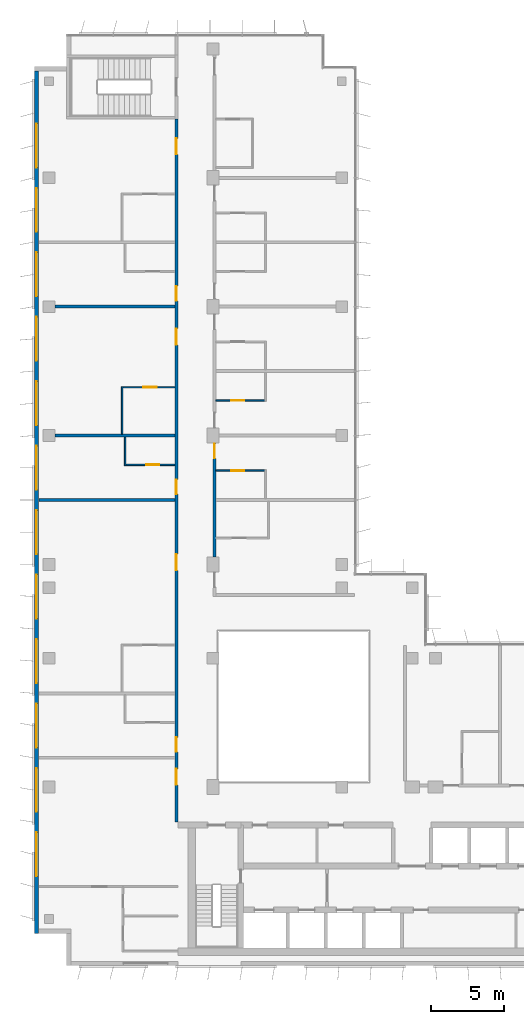
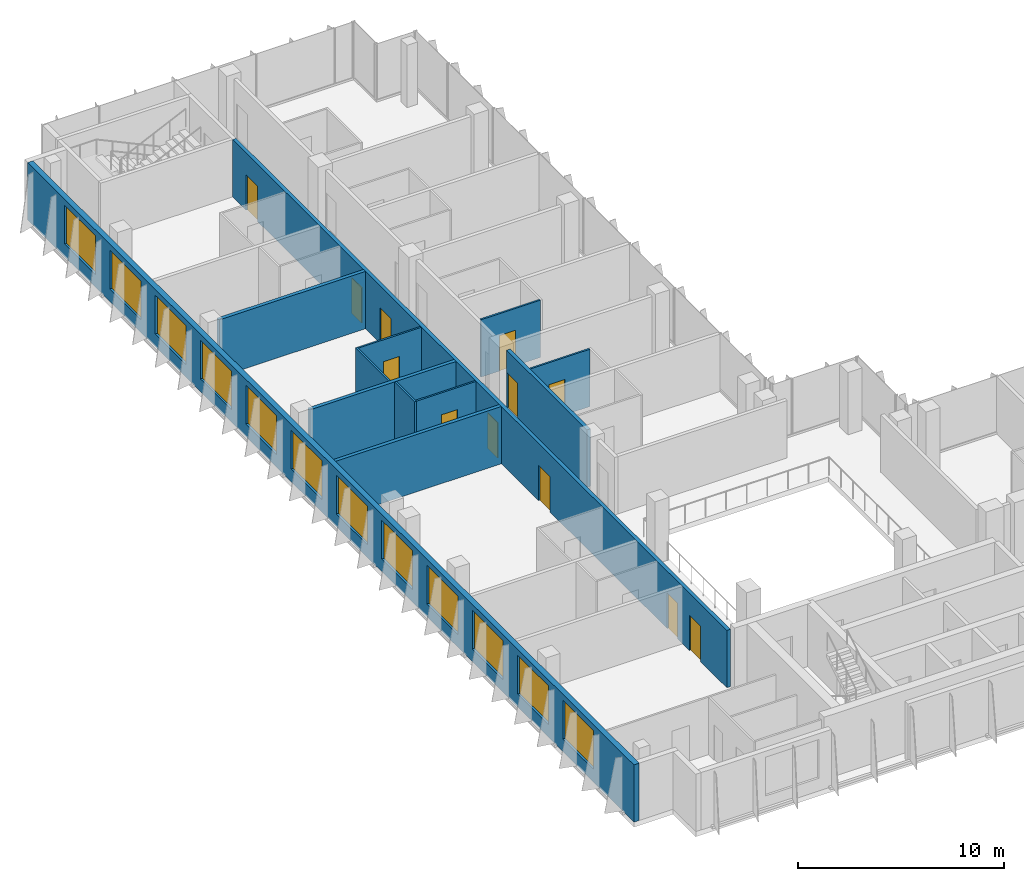
# One storey, part 12 of 17: 12 doors, 12 walls, 12 windows, 24 openings.
"""IFC4 building model written with IfcOpenShell, lengths in metres."""

import ifcopenshell
import ifcopenshell.guid

model = None  # the IFC model being written
_history = None  # IfcOwnerHistory: only IFC2X3 demands one
_inside = {}  # id of a spatial element -> (the spatial element, [elements in it])
_under = {}  # id of a project, library or spatial element -> (it, [spatial elements below it])
_declared = {}  # id of a project -> (the project, [libraries it declares])
_typed = {}  # id of a type object -> (the type object, [elements of that type])
_made_of = {}  # id of a material, layer set ... -> (it, [elements and type objects made of it])


def new_model(schema):
    """Start an empty IFC model of exactly this schema.

    Asked for "IFC4X3", IfcOpenShell would pick the latest addendum, in which some entities
    have other attributes; the version numbers below select the first issue.
    IFC2X3 requires an IfcOwnerHistory on every rooted entity: one is made here for all.
    """
    global model, _history
    if schema == "IFC4X3":
        model = ifcopenshell.file(schema_version=(4, 3, 0, 0))
    else:
        model = ifcopenshell.file(schema=schema)
    _inside.clear()
    _under.clear()
    _declared.clear()
    _typed.clear()
    _made_of.clear()
    _history = None
    if model.schema == "IFC2X3":
        org = make("IfcOrganization", Name="unknown")
        user = make(
            "IfcPersonAndOrganization",
            ThePerson=make("IfcPerson", FamilyName="unknown"),
            TheOrganization=org,
        )
        app = make(
            "IfcApplication",
            ApplicationDeveloper=org,
            Version="unknown",
            ApplicationFullName="unknown",
            ApplicationIdentifier="unknown",
        )
        _history = make(
            "IfcOwnerHistory",
            OwningUser=user,
            OwningApplication=app,
            ChangeAction="ADDED",
            CreationDate=0,
        )
    return model


def make(cls, **values):
    """One entity of the class cls with the attributes given. An attribute that is None is left unset."""
    return model.create_entity(
        cls, **{name: value for name, value in values.items() if value is not None}
    )


def rooted(cls, **values):
    """An entity with a GlobalId (a new one), such as an element, a storey or a relation."""
    return make(cls, GlobalId=ifcopenshell.guid.new(), OwnerHistory=_history, **values)


def si_unit(unit_type, name, prefix=None):
    """IfcSIUnit, for example si_unit("LENGTHUNIT", "METRE", prefix="MILLI")."""
    return make("IfcSIUnit", UnitType=unit_type, Prefix=prefix, Name=name)


def assignment(units):
    """IfcUnitAssignment: the units of a project."""
    return None if units is None else make("IfcUnitAssignment", Units=units)


def point(xyz):
    """IfcCartesianPoint."""
    return None if xyz is None else make("IfcCartesianPoint", Coordinates=xyz)


def direction(xyz):
    """IfcDirection."""
    return None if xyz is None else make("IfcDirection", DirectionRatios=xyz)


def frame(location, z_axis=None, x_axis=None):
    """IfcAxis2Placement3D, a coordinate frame: its origin and axes. An axis left out is left unset."""
    return make(
        "IfcAxis2Placement3D",
        Location=point(location),
        Axis=direction(z_axis),
        RefDirection=direction(x_axis),
    )


def frame_2d(location, x_axis=None):
    """IfcAxis2Placement2D, a coordinate frame in the plane: its origin and x axis."""
    return make(
        "IfcAxis2Placement2D", Location=point(location), RefDirection=direction(x_axis)
    )


def origin():
    """The frame at (0, 0, 0) with its axes left unset."""
    return frame((0.0, 0.0, 0.0))


def place(relative_to, where):
    """IfcLocalPlacement: puts the frame where relative to a parent placement (None: the world)."""
    return make(
        "IfcLocalPlacement", PlacementRelTo=relative_to, RelativePlacement=where
    )


def context(
    kind, dimensions, precision=None, world=None, true_north=None, identifier=None
):
    """IfcGeometricRepresentationContext, for example the 3D "Model" context."""
    return make(
        "IfcGeometricRepresentationContext",
        ContextIdentifier=identifier,
        ContextType=kind,
        CoordinateSpaceDimension=dimensions,
        Precision=precision,
        WorldCoordinateSystem=world,
        TrueNorth=true_north,
    )


def subcontext(parent, identifier, kind, view, scale=None):
    """IfcGeometricRepresentationSubContext, for example "Body" below "Model"."""
    return make(
        "IfcGeometricRepresentationSubContext",
        ContextIdentifier=identifier,
        ContextType=kind,
        ParentContext=parent,
        TargetScale=scale,
        TargetView=view,
    )


def project(units=None, contexts=None):
    """IfcProject with its units and contexts."""
    return rooted(
        "IfcProject",
        Name="project",
        RepresentationContexts=contexts,
        UnitsInContext=assignment(units),
    )


def spatial(cls, under=None, at=None, **own):
    """A site, building, storey or space (cls), placed at a placement, below another one or the project."""
    s = rooted(cls, ObjectPlacement=at, **own)
    if under is not None:
        _under.setdefault(under.id(), (under, []))[1].append(s)
    return s


def profile(cls, at=None, kind="AREA", **sizes):
    """A parametric profile (cls). Its sizes go by their IFC names, for example OverallWidth=200.0."""
    return make(cls, ProfileType=kind, Position=at, **sizes)


def rectangle(**sizes):
    """IfcRectangleProfileDef."""
    return profile("IfcRectangleProfileDef", **sizes)


def extrude(swept, where, along, depth):
    """IfcExtrudedAreaSolid: the profile swept, set in the frame where, extruded along a direction by depth."""
    return make(
        "IfcExtrudedAreaSolid",
        SweptArea=swept,
        Position=where,
        ExtrudedDirection=direction(along),
        Depth=depth,
    )


def shape(context_of_items, identifier, shape_type, items):
    """IfcShapeRepresentation: the items that make up one representation, for example the "Body"."""
    return make(
        "IfcShapeRepresentation",
        ContextOfItems=context_of_items,
        RepresentationIdentifier=identifier,
        RepresentationType=shape_type,
        Items=items,
    )


def material(Name=None, Category=None):
    """IfcMaterial."""
    return make("IfcMaterial", Name=Name, Category=Category)


def layer(
    of_material, thickness, ventilated=None, Name=None, Category=None, Priority=None
):
    """IfcMaterialLayer: one layer of a wall or slab, of a material (None: an air gap)."""
    return make(
        "IfcMaterialLayer",
        Material=of_material,
        LayerThickness=thickness,
        IsVentilated=ventilated,
        Name=Name,
        Category=Category,
        Priority=Priority,
    )


def layer_set(layers, Name=None):
    """IfcMaterialLayerSet."""
    return make("IfcMaterialLayerSet", MaterialLayers=layers, LayerSetName=Name)


def made_of(thing, what):
    """Note that an element or type object is made of a material, layer set ...; save() writes the relation."""
    if what is not None:
        _made_of.setdefault(what.id(), (what, []))[1].append(thing)
    return thing


def type_object(cls, material=None, **own):
    """A type object (cls), such as IfcWallType, which elements share."""
    return made_of(rooted(cls, **own), material)


def element(
    cls,
    number,
    at=None,
    inside=None,
    cuts=None,
    type_object=None,
    material=None,
    context=None,
    identifier="Body",
    shape_type=None,
    held_by="IfcProductDefinitionShape",
    body=None,
    shapes=None,
    **own,
):
    """One element of the class cls, such as IfcWall. Its Tag is "e" and its number.

    at: its placement. inside: the storey or other place that contains it. cuts: it is an
    opening in that element (IfcRelVoidsElement). A single representation is given by context,
    identifier, shape_type and body (its items); several are given by shapes. held_by: the class
    of the entity that holds the representations. save() writes the other relations.
    """
    e = rooted(cls, Tag="e%d" % number, ObjectPlacement=at, **own)
    if body is not None:
        shapes = [shape(context, identifier, shape_type, body)]
    if shapes is not None:
        e.Representation = make(held_by, Representations=shapes)
    if inside is not None:
        _inside.setdefault(inside.id(), (inside, []))[1].append(e)
    if cuts is not None:
        rooted(
            "IfcRelVoidsElement", RelatingBuildingElement=cuts, RelatedOpeningElement=e
        )
    if type_object is not None:
        _typed.setdefault(type_object.id(), (type_object, []))[1].append(e)
    return made_of(e, material)


def fill(opening, filler):
    """IfcRelFillsElement: the door or window that sits in an opening."""
    return rooted(
        "IfcRelFillsElement",
        RelatingOpeningElement=opening,
        RelatedBuildingElement=filler,
    )


def aggregate(whole, parts):
    """IfcRelAggregates: a whole, such as a stair, and the parts it consists of."""
    return rooted("IfcRelAggregates", RelatingObject=whole, RelatedObjects=parts)


def save(model, path):
    """Write the relations noted so far, then the file.

    IfcRelAggregates (storeys below a building ...), IfcRelContainedInSpatialStructure (elements
    in a storey), IfcRelDefinesByType, IfcRelAssociatesMaterial and IfcRelDeclares: one each for
    every whole, place, type object, material and project.
    """
    for whole, parts in _under.values():
        aggregate(whole, parts)
    for where, things in _inside.values():
        rooted(
            "IfcRelContainedInSpatialStructure",
            RelatedElements=things,
            RelatingStructure=where,
        )
    for kind, things in _typed.values():
        rooted("IfcRelDefinesByType", RelatedObjects=things, RelatingType=kind)
    for what, things in _made_of.values():
        rooted("IfcRelAssociatesMaterial", RelatedObjects=things, RelatingMaterial=what)
    for by, libraries in _declared.values():
        rooted("IfcRelDeclares", RelatingContext=by, RelatedDefinitions=libraries)
    model.write(path)


model = new_model("IFC4")

# Units and contexts
model_context = context("Model", 3, precision=1e-05, world=origin(), true_north=direction((0.0, 1.0)))
body_context = subcontext(model_context, "Body", "Model", "MODEL_VIEW")
ifc_project = project(units=[si_unit("LENGTHUNIT", "METRE"), si_unit("AREAUNIT", "SQUARE_METRE"), si_unit("VOLUMEUNIT", "CUBIC_METRE"), si_unit("PLANEANGLEUNIT", "RADIAN"), si_unit("MASSUNIT", "GRAM", prefix="KILO")], contexts=[model_context])

# Site, building, storey
site_placement = place(None, origin())
site = spatial("IfcSite", under=ifc_project, at=site_placement, CompositionType="ELEMENT")
building_placement = place(site_placement, origin())
building = spatial("IfcBuilding", under=site, at=building_placement, Name="Kemantara Hotel Tower", CompositionType="ELEMENT")
storey_placement = place(building_placement, frame((0.0, 0.0, 226.5)))
storey = spatial("IfcBuildingStorey", under=building, at=storey_placement, Name="L56", CompositionType="ELEMENT", Elevation=226.5)

# Wall, openings, windows
ifc_material_1 = material(Name="Bronze anodised aluminium cladding on insulated steel stud wall", Category="steel")
ifc_layer_1 = layer(ifc_material_1, 0.300048828125)
ifc_layer_set_1 = layer_set([ifc_layer_1], Name="Bronze anodised aluminium cladding on insulated steel stud wall")
wall_type_1 = type_object("IfcWallType", Name="BRONZE METAL-CLAD EXTERNAL WALL 300", PredefinedType="STANDARD", material=ifc_layer_set_1)
wall_1_placement = place(storey_placement, frame((0.14990234375, 61.10009765625, 0.0), z_axis=(0.0, 0.0, 1.0), x_axis=(0.0, -1.0, 0.0)))
wall_1 = element("IfcWall", 1, at=wall_1_placement, inside=storey, type_object=wall_type_1, Name="EXTERNAL WALL L56 T4-R05", PredefinedType="STANDARD", context=body_context, shape_type="SweptSolid", body=[
    extrude(rectangle(XDim=58.900146484375, YDim=0.300048828125, at=frame_2d((29.4501953125, 0.0))), origin(), (0.0, 0.0, 1.0), 3.39990234375),
])
opening_1_placement = place(wall_1_placement, frame((3.60009765625, 0.0, 0.75)))
opening_1 = element("IfcOpeningElement", 2, at=opening_1_placement, cuts=wall_1, Name="Opening W1", PredefinedType="OPENING", context=body_context, shape_type="SweptSolid", body=[
    extrude(rectangle(XDim=3.0, YDim=2.300048828125, at=frame_2d((1.5, 1.14990234375))), frame((0.0, 0.159912109375, 0.0), z_axis=(0.0, -1.0, 0.0), x_axis=(1.0, 0.0, 0.0)), (0.0, 0.0, 1.0), 0.320068359375),
])
opening_2_placement = place(wall_1_placement, frame((8.0, 0.0, 0.75)))
opening_2 = element("IfcOpeningElement", 3, at=opening_2_placement, cuts=wall_1, Name="Opening W1", PredefinedType="OPENING", context=body_context, shape_type="SweptSolid", body=[
    extrude(rectangle(XDim=3.0, YDim=2.300048828125, at=frame_2d((1.5, 1.14990234375))), frame((0.0, 0.159912109375, 0.0), z_axis=(0.0, -1.0, 0.0), x_axis=(1.0, 0.0, 0.0)), (0.0, 0.0, 1.0), 0.320068359375),
])
opening_3_placement = place(wall_1_placement, frame((12.39990234375, 0.0, 0.75)))
opening_3 = element("IfcOpeningElement", 4, at=opening_3_placement, cuts=wall_1, Name="Opening W1", PredefinedType="OPENING", context=body_context, shape_type="SweptSolid", body=[
    extrude(rectangle(XDim=3.0, YDim=2.300048828125, at=frame_2d((1.5, 1.14990234375))), frame((0.0, 0.159912109375, 0.0), z_axis=(0.0, -1.0, 0.0), x_axis=(1.0, 0.0, 0.0)), (0.0, 0.0, 1.0), 0.320068359375),
])
opening_4_placement = place(wall_1_placement, frame((16.800048828125, 0.0, 0.75)))
opening_4 = element("IfcOpeningElement", 5, at=opening_4_placement, cuts=wall_1, Name="Opening W1", PredefinedType="OPENING", context=body_context, shape_type="SweptSolid", body=[
    extrude(rectangle(XDim=3.0, YDim=2.300048828125, at=frame_2d((1.5, 1.14990234375))), frame((0.0, 0.159912109375, 0.0), z_axis=(0.0, -1.0, 0.0), x_axis=(1.0, 0.0, 0.0)), (0.0, 0.0, 1.0), 0.320068359375),
])
opening_5_placement = place(wall_1_placement, frame((21.199951171875, 0.0, 0.75)))
opening_5 = element("IfcOpeningElement", 6, at=opening_5_placement, cuts=wall_1, Name="Opening W1", PredefinedType="OPENING", context=body_context, shape_type="SweptSolid", body=[
    extrude(rectangle(XDim=3.0, YDim=2.300048828125, at=frame_2d((1.5, 1.14990234375))), frame((0.0, 0.159912109375, 0.0), z_axis=(0.0, -1.0, 0.0), x_axis=(1.0, 0.0, 0.0)), (0.0, 0.0, 1.0), 0.320068359375),
])
opening_6_placement = place(wall_1_placement, frame((25.60009765625, 0.0, 0.75)))
opening_6 = element("IfcOpeningElement", 7, at=opening_6_placement, cuts=wall_1, Name="Opening W1", PredefinedType="OPENING", context=body_context, shape_type="SweptSolid", body=[
    extrude(rectangle(XDim=3.0, YDim=2.300048828125, at=frame_2d((1.5, 1.14990234375))), frame((0.0, 0.159912109375, 0.0), z_axis=(0.0, -1.0, 0.0), x_axis=(1.0, 0.0, 0.0)), (0.0, 0.0, 1.0), 0.320068359375),
])
opening_7_placement = place(wall_1_placement, frame((30.0, 0.0, 0.75)))
opening_7 = element("IfcOpeningElement", 8, at=opening_7_placement, cuts=wall_1, Name="Opening W1", PredefinedType="OPENING", context=body_context, shape_type="SweptSolid", body=[
    extrude(rectangle(XDim=3.0, YDim=2.300048828125, at=frame_2d((1.5, 1.14990234375))), frame((0.0, 0.159912109375, 0.0), z_axis=(0.0, -1.0, 0.0), x_axis=(1.0, 0.0, 0.0)), (0.0, 0.0, 1.0), 0.320068359375),
])
opening_8_placement = place(wall_1_placement, frame((34.39990234375, 0.0, 0.75)))
opening_8 = element("IfcOpeningElement", 9, at=opening_8_placement, cuts=wall_1, Name="Opening W1", PredefinedType="OPENING", context=body_context, shape_type="SweptSolid", body=[
    extrude(rectangle(XDim=3.0, YDim=2.300048828125, at=frame_2d((1.5, 1.14990234375))), frame((0.0, 0.159912109375, 0.0), z_axis=(0.0, -1.0, 0.0), x_axis=(1.0, 0.0, 0.0)), (0.0, 0.0, 1.0), 0.320068359375),
])
opening_9_placement = place(wall_1_placement, frame((38.800048828125, 0.0, 0.75)))
opening_9 = element("IfcOpeningElement", 10, at=opening_9_placement, cuts=wall_1, Name="Opening W1", PredefinedType="OPENING", context=body_context, shape_type="SweptSolid", body=[
    extrude(rectangle(XDim=3.0, YDim=2.300048828125, at=frame_2d((1.5, 1.14990234375))), frame((0.0, 0.159912109375, 0.0), z_axis=(0.0, -1.0, 0.0), x_axis=(1.0, 0.0, 0.0)), (0.0, 0.0, 1.0), 0.320068359375),
])
opening_10_placement = place(wall_1_placement, frame((43.199951171875, 0.0, 0.75)))
opening_10 = element("IfcOpeningElement", 11, at=opening_10_placement, cuts=wall_1, Name="Opening W1", PredefinedType="OPENING", context=body_context, shape_type="SweptSolid", body=[
    extrude(rectangle(XDim=3.0, YDim=2.300048828125, at=frame_2d((1.5, 1.14990234375))), frame((0.0, 0.159912109375, 0.0), z_axis=(0.0, -1.0, 0.0), x_axis=(1.0, 0.0, 0.0)), (0.0, 0.0, 1.0), 0.320068359375),
])
opening_11_placement = place(wall_1_placement, frame((47.60009765625, 0.0, 0.75)))
opening_11 = element("IfcOpeningElement", 12, at=opening_11_placement, cuts=wall_1, Name="Opening W1", PredefinedType="OPENING", context=body_context, shape_type="SweptSolid", body=[
    extrude(rectangle(XDim=3.0, YDim=2.300048828125, at=frame_2d((1.5, 1.14990234375))), frame((0.0, 0.159912109375, 0.0), z_axis=(0.0, -1.0, 0.0), x_axis=(1.0, 0.0, 0.0)), (0.0, 0.0, 1.0), 0.320068359375),
])
opening_12_placement = place(wall_1_placement, frame((52.0, 0.0, 0.75)))
opening_12 = element("IfcOpeningElement", 13, at=opening_12_placement, cuts=wall_1, Name="Opening W1", PredefinedType="OPENING", context=body_context, shape_type="SweptSolid", body=[
    extrude(rectangle(XDim=3.0, YDim=2.300048828125, at=frame_2d((1.5, 1.14990234375))), frame((0.0, 0.159912109375, 0.0), z_axis=(0.0, -1.0, 0.0), x_axis=(1.0, 0.0, 0.0)), (0.0, 0.0, 1.0), 0.320068359375),
])
ifc_material_2 = material(Name="Low-E tinted double insulated glass in bronze anodised aluminium frame", Category="aluminium")
window_type = type_object("IfcWindowType", Name="CHICAGO WINDOW, TRIPLE PANEL 3000x2300", PartitioningType="TRIPLE_PANEL_VERTICAL", PredefinedType="WINDOW", material=ifc_material_2)
window_1_placement = place(opening_1_placement, origin())
window_1 = element("IfcWindow", 14, at=window_1_placement, inside=storey, type_object=window_type, Name="CHICAGO WINDOW L56 T4-R05-54", OverallHeight=2.300048828125, OverallWidth=3.0, PartitioningType="SINGLE_PANEL", PredefinedType="WINDOW", context=body_context, shape_type="SweptSolid", body=[
    extrude(rectangle(XDim=3.0, YDim=2.300048828125, at=frame_2d((1.5, 1.14990234375))), frame((0.0, 0.030029296875, 0.0), z_axis=(0.0, -1.0, 0.0), x_axis=(1.0, 0.0, 0.0)), (0.0, 0.0, 1.0), 0.06005859375),
])
fill(opening_1, window_1)
window_2_placement = place(opening_2_placement, origin())
window_2 = element("IfcWindow", 15, at=window_2_placement, inside=storey, type_object=window_type, Name="CHICAGO WINDOW L56 T4-R05-98", OverallHeight=2.300048828125, OverallWidth=3.0, PartitioningType="SINGLE_PANEL", PredefinedType="WINDOW", context=body_context, shape_type="SweptSolid", body=[
    extrude(rectangle(XDim=3.0, YDim=2.300048828125, at=frame_2d((1.5, 1.14990234375))), frame((0.0, 0.030029296875, 0.0), z_axis=(0.0, -1.0, 0.0), x_axis=(1.0, 0.0, 0.0)), (0.0, 0.0, 1.0), 0.06005859375),
])
fill(opening_2, window_2)
window_3_placement = place(opening_3_placement, origin())
window_3 = element("IfcWindow", 16, at=window_3_placement, inside=storey, type_object=window_type, Name="CHICAGO WINDOW L56 T4-R05-142", OverallHeight=2.300048828125, OverallWidth=3.0, PartitioningType="SINGLE_PANEL", PredefinedType="WINDOW", context=body_context, shape_type="SweptSolid", body=[
    extrude(rectangle(XDim=3.0, YDim=2.300048828125, at=frame_2d((1.5, 1.14990234375))), frame((0.0, 0.030029296875, 0.0), z_axis=(0.0, -1.0, 0.0), x_axis=(1.0, 0.0, 0.0)), (0.0, 0.0, 1.0), 0.06005859375),
])
fill(opening_3, window_3)
window_4_placement = place(opening_4_placement, origin())
window_4 = element("IfcWindow", 17, at=window_4_placement, inside=storey, type_object=window_type, Name="CHICAGO WINDOW L56 T4-R05-186", OverallHeight=2.300048828125, OverallWidth=3.0, PartitioningType="SINGLE_PANEL", PredefinedType="WINDOW", context=body_context, shape_type="SweptSolid", body=[
    extrude(rectangle(XDim=3.0, YDim=2.300048828125, at=frame_2d((1.5, 1.14990234375))), frame((0.0, 0.030029296875, 0.0), z_axis=(0.0, -1.0, 0.0), x_axis=(1.0, 0.0, 0.0)), (0.0, 0.0, 1.0), 0.06005859375),
])
fill(opening_4, window_4)
window_5_placement = place(opening_5_placement, origin())
window_5 = element("IfcWindow", 18, at=window_5_placement, inside=storey, type_object=window_type, Name="CHICAGO WINDOW L56 T4-R05-230", OverallHeight=2.300048828125, OverallWidth=3.0, PartitioningType="SINGLE_PANEL", PredefinedType="WINDOW", context=body_context, shape_type="SweptSolid", body=[
    extrude(rectangle(XDim=3.0, YDim=2.300048828125, at=frame_2d((1.5, 1.14990234375))), frame((0.0, 0.030029296875, 0.0), z_axis=(0.0, -1.0, 0.0), x_axis=(1.0, 0.0, 0.0)), (0.0, 0.0, 1.0), 0.06005859375),
])
fill(opening_5, window_5)
window_6_placement = place(opening_6_placement, origin())
window_6 = element("IfcWindow", 19, at=window_6_placement, inside=storey, type_object=window_type, Name="CHICAGO WINDOW L56 T4-R05-274", OverallHeight=2.300048828125, OverallWidth=3.0, PartitioningType="SINGLE_PANEL", PredefinedType="WINDOW", context=body_context, shape_type="SweptSolid", body=[
    extrude(rectangle(XDim=3.0, YDim=2.300048828125, at=frame_2d((1.5, 1.14990234375))), frame((0.0, 0.030029296875, 0.0), z_axis=(0.0, -1.0, 0.0), x_axis=(1.0, 0.0, 0.0)), (0.0, 0.0, 1.0), 0.06005859375),
])
fill(opening_6, window_6)
window_7_placement = place(opening_7_placement, origin())
window_7 = element("IfcWindow", 20, at=window_7_placement, inside=storey, type_object=window_type, Name="CHICAGO WINDOW L56 T4-R05-318", OverallHeight=2.300048828125, OverallWidth=3.0, PartitioningType="SINGLE_PANEL", PredefinedType="WINDOW", context=body_context, shape_type="SweptSolid", body=[
    extrude(rectangle(XDim=3.0, YDim=2.300048828125, at=frame_2d((1.5, 1.14990234375))), frame((0.0, 0.030029296875, 0.0), z_axis=(0.0, -1.0, 0.0), x_axis=(1.0, 0.0, 0.0)), (0.0, 0.0, 1.0), 0.06005859375),
])
fill(opening_7, window_7)
window_8_placement = place(opening_8_placement, origin())
window_8 = element("IfcWindow", 21, at=window_8_placement, inside=storey, type_object=window_type, Name="CHICAGO WINDOW L56 T4-R05-362", OverallHeight=2.300048828125, OverallWidth=3.0, PartitioningType="SINGLE_PANEL", PredefinedType="WINDOW", context=body_context, shape_type="SweptSolid", body=[
    extrude(rectangle(XDim=3.0, YDim=2.300048828125, at=frame_2d((1.5, 1.14990234375))), frame((0.0, 0.030029296875, 0.0), z_axis=(0.0, -1.0, 0.0), x_axis=(1.0, 0.0, 0.0)), (0.0, 0.0, 1.0), 0.06005859375),
])
fill(opening_8, window_8)
window_9_placement = place(opening_9_placement, origin())
window_9 = element("IfcWindow", 22, at=window_9_placement, inside=storey, type_object=window_type, Name="CHICAGO WINDOW L56 T4-R05-406", OverallHeight=2.300048828125, OverallWidth=3.0, PartitioningType="SINGLE_PANEL", PredefinedType="WINDOW", context=body_context, shape_type="SweptSolid", body=[
    extrude(rectangle(XDim=3.0, YDim=2.300048828125, at=frame_2d((1.5, 1.14990234375))), frame((0.0, 0.030029296875, 0.0), z_axis=(0.0, -1.0, 0.0), x_axis=(1.0, 0.0, 0.0)), (0.0, 0.0, 1.0), 0.06005859375),
])
fill(opening_9, window_9)
window_10_placement = place(opening_10_placement, origin())
window_10 = element("IfcWindow", 23, at=window_10_placement, inside=storey, type_object=window_type, Name="CHICAGO WINDOW L56 T4-R05-450", OverallHeight=2.300048828125, OverallWidth=3.0, PartitioningType="SINGLE_PANEL", PredefinedType="WINDOW", context=body_context, shape_type="SweptSolid", body=[
    extrude(rectangle(XDim=3.0, YDim=2.300048828125, at=frame_2d((1.5, 1.14990234375))), frame((0.0, 0.030029296875, 0.0), z_axis=(0.0, -1.0, 0.0), x_axis=(1.0, 0.0, 0.0)), (0.0, 0.0, 1.0), 0.06005859375),
])
fill(opening_10, window_10)
window_11_placement = place(opening_11_placement, origin())
window_11 = element("IfcWindow", 24, at=window_11_placement, inside=storey, type_object=window_type, Name="CHICAGO WINDOW L56 T4-R05-494", OverallHeight=2.300048828125, OverallWidth=3.0, PartitioningType="SINGLE_PANEL", PredefinedType="WINDOW", context=body_context, shape_type="SweptSolid", body=[
    extrude(rectangle(XDim=3.0, YDim=2.300048828125, at=frame_2d((1.5, 1.14990234375))), frame((0.0, 0.030029296875, 0.0), z_axis=(0.0, -1.0, 0.0), x_axis=(1.0, 0.0, 0.0)), (0.0, 0.0, 1.0), 0.06005859375),
])
fill(opening_11, window_11)
window_12_placement = place(opening_12_placement, origin())
window_12 = element("IfcWindow", 25, at=window_12_placement, inside=storey, type_object=window_type, Name="CHICAGO WINDOW L56 T4-R05-538", OverallHeight=2.300048828125, OverallWidth=3.0, PartitioningType="SINGLE_PANEL", PredefinedType="WINDOW", context=body_context, shape_type="SweptSolid", body=[
    extrude(rectangle(XDim=3.0, YDim=2.300048828125, at=frame_2d((1.5, 1.14990234375))), frame((0.0, 0.030029296875, 0.0), z_axis=(0.0, -1.0, 0.0), x_axis=(1.0, 0.0, 0.0)), (0.0, 0.0, 1.0), 0.06005859375),
])
fill(opening_12, window_12)

# Wall, openings, doors
ifc_material_3 = material(Name="Gypsum board partition, steel studs and mineral wool, 200 mm", Category="steel")
ifc_layer_2 = layer(ifc_material_3, 0.199951171875)
ifc_layer_set_2 = layer_set([ifc_layer_2], Name="Gypsum board partition, steel studs and mineral wool, 200 mm")
wall_type_2 = type_object("IfcWallType", Name="CORRIDOR WALL 200", PredefinedType="PARTITIONING", material=ifc_layer_set_2)
wall_2_placement = place(storey_placement, frame((9.699951171875, 9.800048828125, 0.0), z_axis=(0.0, 0.0, 1.0), x_axis=(0.0, 1.0, 0.0)))
wall_2 = element("IfcWall", 26, at=wall_2_placement, inside=storey, type_object=wall_type_2, Name="CORRIDOR WALL 200 008", PredefinedType="PARTITIONING", context=body_context, shape_type="SweptSolid", body=[
    extrude(rectangle(XDim=48.0, YDim=0.199951171875, at=frame_2d((24.0, 0.0))), origin(), (0.0, 0.0, 1.0), 3.39990234375),
])
opening_13_placement = place(wall_2_placement, frame((2.550048828125, 0.0, 0.0)))
opening_13 = element("IfcOpeningElement", 27, at=opening_13_placement, cuts=wall_2, Name="Opening F27-009", PredefinedType="OPENING", context=body_context, shape_type="SweptSolid", body=[
    extrude(rectangle(XDim=1.10009765625, YDim=2.10009765625, at=frame_2d((0.550048828125, 1.050048828125))), frame((0.0, 0.10986328125, 0.0), z_axis=(0.0, -1.0, 0.0), x_axis=(1.0, 0.0, 0.0)), (0.0, 0.0, 1.0), 0.219970703125),
])
opening_14_placement = place(wall_2_placement, frame((4.800048828125, 0.0, 0.0)))
opening_14 = element("IfcOpeningElement", 28, at=opening_14_placement, cuts=wall_2, Name="Opening F27-013", PredefinedType="OPENING", context=body_context, shape_type="SweptSolid", body=[
    extrude(rectangle(XDim=1.0, YDim=2.10009765625, at=frame_2d((0.5, 1.050048828125))), frame((0.0, 0.10986328125, 0.0), z_axis=(0.0, -1.0, 0.0), x_axis=(1.0, 0.0, 0.0)), (0.0, 0.0, 1.0), 0.219970703125),
])
opening_15_placement = place(wall_2_placement, frame((17.199951171875, 0.0, 0.0)))
opening_15 = element("IfcOpeningElement", 29, at=opening_15_placement, cuts=wall_2, Name="Opening F27-015", PredefinedType="OPENING", context=body_context, shape_type="SweptSolid", body=[
    extrude(rectangle(XDim=1.10009765625, YDim=2.10009765625, at=frame_2d((0.550048828125, 1.050048828125))), frame((0.0, 0.10986328125, 0.0), z_axis=(0.0, -1.0, 0.0), x_axis=(1.0, 0.0, 0.0)), (0.0, 0.0, 1.0), 0.219970703125),
])
opening_16_placement = place(wall_2_placement, frame((22.39990234375, 0.0, 0.0)))
opening_16 = element("IfcOpeningElement", 30, at=opening_16_placement, cuts=wall_2, Name="Opening F27-017", PredefinedType="OPENING", context=body_context, shape_type="SweptSolid", body=[
    extrude(rectangle(XDim=1.0, YDim=2.10009765625, at=frame_2d((0.5, 1.050048828125))), frame((0.0, 0.10986328125, 0.0), z_axis=(0.0, -1.0, 0.0), x_axis=(1.0, 0.0, 0.0)), (0.0, 0.0, 1.0), 0.219970703125),
])
opening_17_placement = place(wall_2_placement, frame((32.60009765625, 0.0, 0.0)))
opening_17 = element("IfcOpeningElement", 31, at=opening_17_placement, cuts=wall_2, Name="Opening F27-019", PredefinedType="OPENING", context=body_context, shape_type="SweptSolid", body=[
    extrude(rectangle(XDim=1.10009765625, YDim=2.10009765625, at=frame_2d((0.550048828125, 1.050048828125))), frame((0.0, 0.10986328125, 0.0), z_axis=(0.0, -1.0, 0.0), x_axis=(1.0, 0.0, 0.0)), (0.0, 0.0, 1.0), 0.219970703125),
])
opening_18_placement = place(wall_2_placement, frame((35.60009765625, 0.0, 0.0)))
opening_18 = element("IfcOpeningElement", 32, at=opening_18_placement, cuts=wall_2, Name="Opening F27-021", PredefinedType="OPENING", context=body_context, shape_type="SweptSolid", body=[
    extrude(rectangle(XDim=1.0, YDim=2.10009765625, at=frame_2d((0.5, 1.050048828125))), frame((0.0, 0.10986328125, 0.0), z_axis=(0.0, -1.0, 0.0), x_axis=(1.0, 0.0, 0.0)), (0.0, 0.0, 1.0), 0.219970703125),
])
opening_19_placement = place(wall_2_placement, frame((45.60009765625, 0.0, 0.0)))
opening_19 = element("IfcOpeningElement", 33, at=opening_19_placement, cuts=wall_2, Name="Opening F27-023", PredefinedType="OPENING", context=body_context, shape_type="SweptSolid", body=[
    extrude(rectangle(XDim=1.10009765625, YDim=2.10009765625, at=frame_2d((0.550048828125, 1.050048828125))), frame((0.0, 0.10986328125, 0.0), z_axis=(0.0, -1.0, 0.0), x_axis=(1.0, 0.0, 0.0)), (0.0, 0.0, 1.0), 0.219970703125),
])
ifc_material_4 = material(Name="Hardwood veneer door leaf with steel frame", Category="steel")
door_type_1 = type_object("IfcDoorType", Name="GUEST ROOM DOOR 1000 X 2100 FD30S", OperationType="NOTDEFINED", PredefinedType="DOOR", material=ifc_material_4)
door_1_placement = place(opening_14_placement, origin())
door_1 = element("IfcDoor", 34, at=door_1_placement, inside=storey, type_object=door_type_1, Name="GUEST ROOM DOOR F27-013", OperationType="SINGLE_SWING_LEFT", OverallHeight=2.10009765625, OverallWidth=1.0, PredefinedType="DOOR", context=body_context, shape_type="SweptSolid", body=[
    extrude(rectangle(XDim=1.0, YDim=2.10009765625, at=frame_2d((0.5, 1.050048828125))), frame((0.0, 0.02490234375, 0.0), z_axis=(0.0, -1.0, 0.0), x_axis=(1.0, 0.0, 0.0)), (0.0, 0.0, 1.0), 0.050048828125),
])
fill(opening_14, door_1)
door_2_placement = place(opening_16_placement, origin())
door_2 = element("IfcDoor", 35, at=door_2_placement, inside=storey, type_object=door_type_1, Name="GUEST ROOM DOOR F27-017", OperationType="SINGLE_SWING_LEFT", OverallHeight=2.10009765625, OverallWidth=1.0, PredefinedType="DOOR", context=body_context, shape_type="SweptSolid", body=[
    extrude(rectangle(XDim=1.0, YDim=2.10009765625, at=frame_2d((0.5, 1.050048828125))), frame((0.0, 0.02490234375, 0.0), z_axis=(0.0, -1.0, 0.0), x_axis=(1.0, 0.0, 0.0)), (0.0, 0.0, 1.0), 0.050048828125),
])
fill(opening_16, door_2)
door_3_placement = place(opening_18_placement, origin())
door_3 = element("IfcDoor", 36, at=door_3_placement, inside=storey, type_object=door_type_1, Name="GUEST ROOM DOOR F27-021", OperationType="SINGLE_SWING_LEFT", OverallHeight=2.10009765625, OverallWidth=1.0, PredefinedType="DOOR", context=body_context, shape_type="SweptSolid", body=[
    extrude(rectangle(XDim=1.0, YDim=2.10009765625, at=frame_2d((0.5, 1.050048828125))), frame((0.0, 0.02490234375, 0.0), z_axis=(0.0, -1.0, 0.0), x_axis=(1.0, 0.0, 0.0)), (0.0, 0.0, 1.0), 0.050048828125),
])
fill(opening_18, door_3)
door_type_2 = type_object("IfcDoorType", Name="SUITE ENTRANCE DOOR 1100 X 2100 FD30S", OperationType="NOTDEFINED", PredefinedType="DOOR", material=ifc_material_4)
door_4_placement = place(opening_13_placement, origin())
door_4 = element("IfcDoor", 37, at=door_4_placement, inside=storey, type_object=door_type_2, Name="SUITE ENTRANCE DOOR F27-009", OperationType="SINGLE_SWING_RIGHT", OverallHeight=2.10009765625, OverallWidth=1.10009765625, PredefinedType="DOOR", context=body_context, shape_type="SweptSolid", body=[
    extrude(rectangle(XDim=1.10009765625, YDim=2.10009765625, at=frame_2d((0.550048828125, 1.050048828125))), frame((0.0, 0.02490234375, 0.0), z_axis=(0.0, -1.0, 0.0), x_axis=(1.0, 0.0, 0.0)), (0.0, 0.0, 1.0), 0.050048828125),
])
fill(opening_13, door_4)
door_5_placement = place(opening_15_placement, origin())
door_5 = element("IfcDoor", 38, at=door_5_placement, inside=storey, type_object=door_type_2, Name="SUITE ENTRANCE DOOR F27-015", OperationType="SINGLE_SWING_RIGHT", OverallHeight=2.10009765625, OverallWidth=1.10009765625, PredefinedType="DOOR", context=body_context, shape_type="SweptSolid", body=[
    extrude(rectangle(XDim=1.10009765625, YDim=2.10009765625, at=frame_2d((0.550048828125, 1.050048828125))), frame((0.0, 0.02490234375, 0.0), z_axis=(0.0, -1.0, 0.0), x_axis=(1.0, 0.0, 0.0)), (0.0, 0.0, 1.0), 0.050048828125),
])
fill(opening_15, door_5)
door_6_placement = place(opening_17_placement, origin())
door_6 = element("IfcDoor", 39, at=door_6_placement, inside=storey, type_object=door_type_2, Name="SUITE ENTRANCE DOOR F27-019", OperationType="SINGLE_SWING_RIGHT", OverallHeight=2.10009765625, OverallWidth=1.10009765625, PredefinedType="DOOR", context=body_context, shape_type="SweptSolid", body=[
    extrude(rectangle(XDim=1.10009765625, YDim=2.10009765625, at=frame_2d((0.550048828125, 1.050048828125))), frame((0.0, 0.02490234375, 0.0), z_axis=(0.0, -1.0, 0.0), x_axis=(1.0, 0.0, 0.0)), (0.0, 0.0, 1.0), 0.050048828125),
])
fill(opening_17, door_6)
door_7_placement = place(opening_19_placement, origin())
door_7 = element("IfcDoor", 40, at=door_7_placement, inside=storey, type_object=door_type_2, Name="SUITE ENTRANCE DOOR F27-023", OperationType="SINGLE_SWING_RIGHT", OverallHeight=2.10009765625, OverallWidth=1.10009765625, PredefinedType="DOOR", context=body_context, shape_type="SweptSolid", body=[
    extrude(rectangle(XDim=1.10009765625, YDim=2.10009765625, at=frame_2d((0.550048828125, 1.050048828125))), frame((0.0, 0.02490234375, 0.0), z_axis=(0.0, -1.0, 0.0), x_axis=(1.0, 0.0, 0.0)), (0.0, 0.0, 1.0), 0.050048828125),
])
fill(opening_19, door_7)

# Wall, opening, door
wall_3_placement = place(storey_placement, frame((12.300048828125, 35.699951171875, 0.0), z_axis=(0.0, 0.0, 1.0), x_axis=(0.0, -1.0, 0.0)))
wall_3 = element("IfcWall", 41, at=wall_3_placement, inside=storey, type_object=wall_type_2, Name="CORRIDOR WALL 200 021", PredefinedType="PARTITIONING", context=body_context, shape_type="SweptSolid", body=[
    extrude(rectangle(XDim=7.7998046875, YDim=0.199951171875, at=frame_2d((3.89990234375, 0.0))), origin(), (0.0, 0.0, 1.0), 3.39990234375),
])
opening_20_placement = place(wall_3_placement, frame((0.0498046875, 0.0, 0.0)))
opening_20 = element("IfcOpeningElement", 42, at=opening_20_placement, cuts=wall_3, Name="Opening F27-027", PredefinedType="OPENING", context=body_context, shape_type="SweptSolid", body=[
    extrude(rectangle(XDim=1.0, YDim=2.10009765625, at=frame_2d((0.5, 1.050048828125))), frame((0.0, 0.10986328125, 0.0), z_axis=(0.0, -1.0, 0.0), x_axis=(1.0, 0.0, 0.0)), (0.0, 0.0, 1.0), 0.219970703125),
])
door_8_placement = place(opening_20_placement, origin())
door_8 = element("IfcDoor", 43, at=door_8_placement, inside=storey, type_object=door_type_1, Name="GUEST ROOM DOOR F27-027", OperationType="SINGLE_SWING_LEFT", OverallHeight=2.10009765625, OverallWidth=1.0, PredefinedType="DOOR", context=body_context, shape_type="SweptSolid", body=[
    extrude(rectangle(XDim=1.0, YDim=2.10009765625, at=frame_2d((0.5, 1.050048828125))), frame((0.0, 0.02490234375, 0.0), z_axis=(0.0, -1.0, 0.0), x_axis=(1.0, 0.0, 0.0)), (0.0, 0.0, 1.0), 0.050048828125),
])
fill(opening_20, door_8)

# Walls
ifc_layer_3 = layer(ifc_material_3, 0.199951171875)
ifc_layer_set_3 = layer_set([ifc_layer_3], Name="Gypsum board partition, steel studs and mineral wool, 200 mm")
wall_type_3 = type_object("IfcWallType", Name="GUEST ROOM PARTY WALL 200", PredefinedType="PARTITIONING", material=ifc_layer_set_3)
wall_4_placement = place(storey_placement, frame((0.31005859375, 31.800048828125, 0.0), z_axis=(0.0, 0.0, 1.0), x_axis=(1.0, 0.0, 0.0)))
element("IfcWall", 44, at=wall_4_placement, inside=storey, type_object=wall_type_3, Name="GUEST ROOM PARTY WALL 200 012", PredefinedType="PARTITIONING", context=body_context, shape_type="SweptSolid", body=[
    extrude(rectangle(XDim=9.2900390625, YDim=0.199951171875, at=frame_2d((4.64501953125, 0.0))), origin(), (0.0, 0.0, 1.0), 3.39990234375),
])
for number, where, z_axis, x_axis, name in (
    (45, (1.400146484375, 36.199951171875, 0.0), (0.0, 0.0, 1.0), (1.0, 0.0, 0.0), "GUEST ROOM PARTY WALL 200 014"),
    (46, (1.400146484375, 45.0, 0.0), (0.0, 0.0, 1.0), (1.0, 0.0, 0.0), "GUEST ROOM PARTY WALL 200 016"),
):
    element("IfcWall", number, at=place(storey_placement, frame(where, z_axis=z_axis, x_axis=x_axis)), inside=storey, type_object=wall_type_3, Name=name, PredefinedType="PARTITIONING", context=body_context, shape_type="SweptSolid", body=[
        extrude(rectangle(XDim=8.199951171875, YDim=0.199951171875, at=frame_2d((4.10009765625, 0.0))), origin(), (0.0, 0.0, 1.0), 3.39990234375),
    ])
ifc_material_5 = material(Name="Gypsum board partition on steel studs, 100 mm", Category="steel")
ifc_layer_4 = layer(ifc_material_5, 0.10009765625)
ifc_layer_set_4 = layer_set([ifc_layer_4], Name="Gypsum board partition on steel studs, 100 mm")
wall_type_4 = type_object("IfcWallType", Name="ROOM PARTITION 100", PredefinedType="PARTITIONING", material=ifc_layer_set_4)
wall_5_placement = place(storey_placement, frame((6.199951171875, 34.14990234375, 0.0), z_axis=(0.0, 0.0, 1.0), x_axis=(0.0, 1.0, 0.0)))
element("IfcWall", 47, at=wall_5_placement, inside=storey, type_object=wall_type_4, Name="ROOM PARTITION 100 041", PredefinedType="PARTITIONING", context=body_context, shape_type="SweptSolid", body=[
    extrude(rectangle(XDim=1.9501953125, YDim=0.10009765625, at=frame_2d((0.97509765625, 0.0))), origin(), (0.0, 0.0, 1.0), 3.39990234375),
])
wall_6_placement = place(storey_placement, frame((6.0, 36.300048828125, 0.0), z_axis=(0.0, 0.0, 1.0), x_axis=(0.0, 1.0, 0.0)))
element("IfcWall", 48, at=wall_6_placement, inside=storey, type_object=wall_type_4, Name="ROOM PARTITION 100 045", PredefinedType="PARTITIONING", context=body_context, shape_type="SweptSolid", body=[
    extrude(rectangle(XDim=3.25, YDim=0.10009765625, at=frame_2d((1.625, 0.0))), origin(), (0.0, 0.0, 1.0), 3.39990234375),
])

# Wall, opening, door
wall_7_placement = place(storey_placement, frame((6.25, 34.199951171875, 0.0), z_axis=(0.0, 0.0, 1.0), x_axis=(1.0, 0.0, 0.0)))
wall_7 = element("IfcWall", 49, at=wall_7_placement, inside=storey, type_object=wall_type_4, Name="ROOM PARTITION 100 048", PredefinedType="PARTITIONING", context=body_context, shape_type="SweptSolid", body=[
    extrude(rectangle(XDim=3.35009765625, YDim=0.10009765625, at=frame_2d((1.675048828125, 0.0))), origin(), (0.0, 0.0, 1.0), 3.39990234375),
])
opening_21_placement = place(wall_7_placement, frame((1.39990234375, 0.0, 0.0)))
opening_21 = element("IfcOpeningElement", 50, at=opening_21_placement, cuts=wall_7, Name="Opening F27-018", PredefinedType="OPENING", context=body_context, shape_type="SweptSolid", body=[
    extrude(rectangle(XDim=0.89990234375, YDim=2.10009765625, at=frame_2d((0.449951171875, 1.050048828125))), frame((0.0, 0.06005859375, 0.0), z_axis=(0.0, -1.0, 0.0), x_axis=(1.0, 0.0, 0.0)), (0.0, 0.0, 1.0), 0.1201171875),
])
door_type_3 = type_object("IfcDoorType", Name="BATHROOM DOOR 900 X 2100", OperationType="NOTDEFINED", PredefinedType="DOOR", material=ifc_material_4)
door_9_placement = place(opening_21_placement, origin())
door_9 = element("IfcDoor", 51, at=door_9_placement, inside=storey, type_object=door_type_3, Name="BATHROOM DOOR F27-018", OperationType="SINGLE_SWING_RIGHT", OverallHeight=2.10009765625, OverallWidth=0.89990234375, PredefinedType="DOOR", context=body_context, shape_type="SweptSolid", body=[
    extrude(rectangle(XDim=0.89990234375, YDim=2.10009765625, at=frame_2d((0.449951171875, 1.050048828125))), frame((0.0, 0.02490234375, 0.0), z_axis=(0.0, -1.0, 0.0), x_axis=(1.0, 0.0, 0.0)), (0.0, 0.0, 1.0), 0.050048828125),
])
fill(opening_21, door_9)

wall_8_placement = place(storey_placement, frame((9.60009765625, 39.5, 0.0), z_axis=(0.0, 0.0, 1.0), x_axis=(-1.0, 0.0, 0.0)))
wall_8 = element("IfcWall", 52, at=wall_8_placement, inside=storey, type_object=wall_type_4, Name="ROOM PARTITION 100 049", PredefinedType="PARTITIONING", context=body_context, shape_type="SweptSolid", body=[
    extrude(rectangle(XDim=3.550048828125, YDim=0.10009765625, at=frame_2d((1.77490234375, 0.0))), origin(), (0.0, 0.0, 1.0), 3.39990234375),
])
opening_22_placement = place(wall_8_placement, frame((1.25, 0.0, 0.0)))
opening_22 = element("IfcOpeningElement", 53, at=opening_22_placement, cuts=wall_8, Name="Opening F27-020", PredefinedType="OPENING", context=body_context, shape_type="SweptSolid", body=[
    extrude(rectangle(XDim=0.89990234375, YDim=2.10009765625, at=frame_2d((0.449951171875, 1.050048828125))), frame((0.0, 0.06005859375, 0.0), z_axis=(0.0, -1.0, 0.0), x_axis=(1.0, 0.0, 0.0)), (0.0, 0.0, 1.0), 0.1201171875),
])
door_10_placement = place(opening_22_placement, origin())
door_10 = element("IfcDoor", 54, at=door_10_placement, inside=storey, type_object=door_type_3, Name="BATHROOM DOOR F27-020", OperationType="SINGLE_SWING_LEFT", OverallHeight=2.10009765625, OverallWidth=0.89990234375, PredefinedType="DOOR", context=body_context, shape_type="SweptSolid", body=[
    extrude(rectangle(XDim=0.89990234375, YDim=2.10009765625, at=frame_2d((0.449951171875, 1.050048828125))), frame((0.0, 0.02490234375, 0.0), z_axis=(0.0, -1.0, 0.0), x_axis=(1.0, 0.0, 0.0)), (0.0, 0.0, 1.0), 0.050048828125),
])
fill(opening_22, door_10)

wall_9_placement = place(storey_placement, frame((15.75, 33.800048828125, 0.0), z_axis=(0.0, 0.0, 1.0), x_axis=(-1.0, 0.0, 0.0)))
wall_9 = element("IfcWall", 55, at=wall_9_placement, inside=storey, type_object=wall_type_4, Name="ROOM PARTITION 100 060", PredefinedType="PARTITIONING", context=body_context, shape_type="SweptSolid", body=[
    extrude(rectangle(XDim=3.35009765625, YDim=0.10009765625, at=frame_2d((1.675048828125, 0.0))), origin(), (0.0, 0.0, 1.0), 3.39990234375),
])
opening_23_placement = place(wall_9_placement, frame((1.39990234375, 0.0, 0.0)))
opening_23 = element("IfcOpeningElement", 56, at=opening_23_placement, cuts=wall_9, Name="Opening F27-028", PredefinedType="OPENING", context=body_context, shape_type="SweptSolid", body=[
    extrude(rectangle(XDim=0.89990234375, YDim=2.10009765625, at=frame_2d((0.449951171875, 1.050048828125))), frame((0.0, 0.06005859375, 0.0), z_axis=(0.0, -1.0, 0.0), x_axis=(1.0, 0.0, 0.0)), (0.0, 0.0, 1.0), 0.1201171875),
])
door_11_placement = place(opening_23_placement, origin())
door_11 = element("IfcDoor", 57, at=door_11_placement, inside=storey, type_object=door_type_3, Name="BATHROOM DOOR F27-028", OperationType="SINGLE_SWING_RIGHT", OverallHeight=2.10009765625, OverallWidth=0.89990234375, PredefinedType="DOOR", context=body_context, shape_type="SweptSolid", body=[
    extrude(rectangle(XDim=0.89990234375, YDim=2.10009765625, at=frame_2d((0.449951171875, 1.050048828125))), frame((0.0, 0.02490234375, 0.0), z_axis=(0.0, -1.0, 0.0), x_axis=(1.0, 0.0, 0.0)), (0.0, 0.0, 1.0), 0.050048828125),
])
fill(opening_23, door_11)

wall_10_placement = place(storey_placement, frame((12.39990234375, 38.60009765625, 0.0), z_axis=(0.0, 0.0, 1.0), x_axis=(1.0, 0.0, 0.0)))
wall_10 = element("IfcWall", 58, at=wall_10_placement, inside=storey, type_object=wall_type_4, Name="ROOM PARTITION 100 061", PredefinedType="PARTITIONING", context=body_context, shape_type="SweptSolid", body=[
    extrude(rectangle(XDim=3.35009765625, YDim=0.10009765625, at=frame_2d((1.675048828125, 0.0))), origin(), (0.0, 0.0, 1.0), 3.39990234375),
])
opening_24_placement = place(wall_10_placement, frame((1.050048828125, 0.0, 0.0)))
opening_24 = element("IfcOpeningElement", 59, at=opening_24_placement, cuts=wall_10, Name="Opening F27-030", PredefinedType="OPENING", context=body_context, shape_type="SweptSolid", body=[
    extrude(rectangle(XDim=0.89990234375, YDim=2.10009765625, at=frame_2d((0.449951171875, 1.050048828125))), frame((0.0, 0.06005859375, 0.0), z_axis=(0.0, -1.0, 0.0), x_axis=(1.0, 0.0, 0.0)), (0.0, 0.0, 1.0), 0.1201171875),
])
door_12_placement = place(opening_24_placement, origin())
door_12 = element("IfcDoor", 60, at=door_12_placement, inside=storey, type_object=door_type_3, Name="BATHROOM DOOR F27-030", OperationType="SINGLE_SWING_LEFT", OverallHeight=2.10009765625, OverallWidth=0.89990234375, PredefinedType="DOOR", context=body_context, shape_type="SweptSolid", body=[
    extrude(rectangle(XDim=0.89990234375, YDim=2.10009765625, at=frame_2d((0.449951171875, 1.050048828125))), frame((0.0, 0.02490234375, 0.0), z_axis=(0.0, -1.0, 0.0), x_axis=(1.0, 0.0, 0.0)), (0.0, 0.0, 1.0), 0.050048828125),
])
fill(opening_24, door_12)

save(model, "model.ifc")
